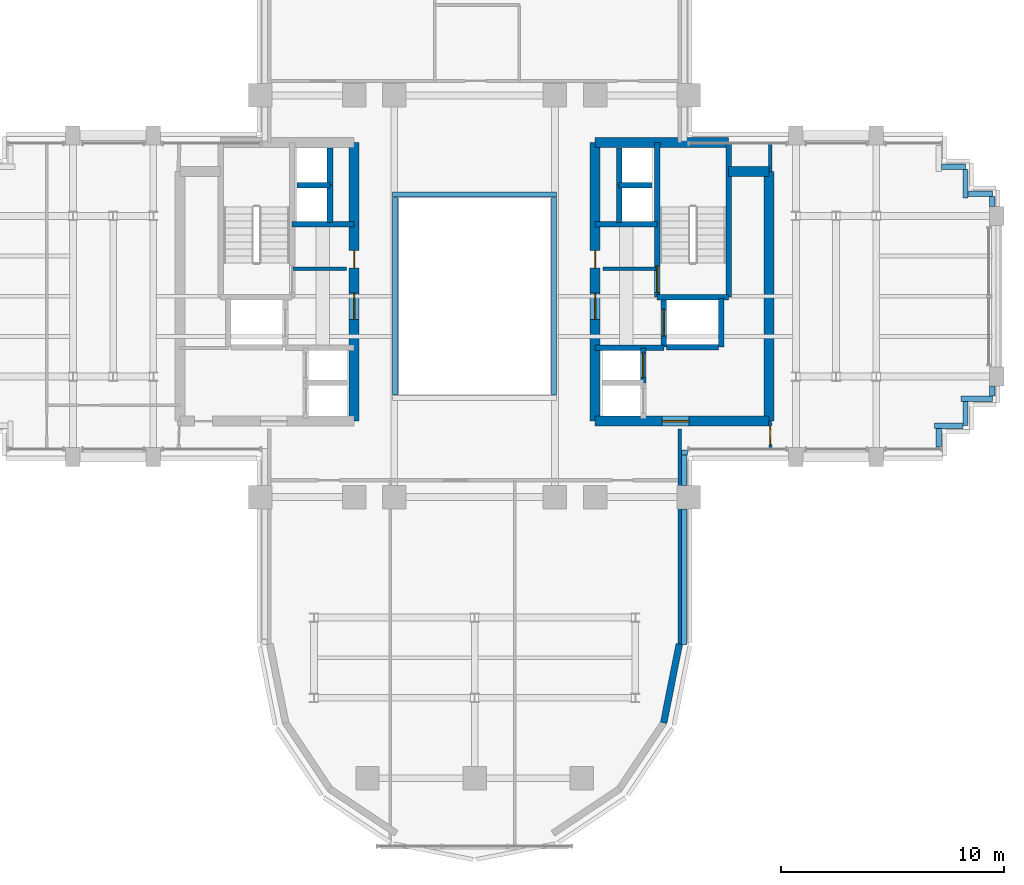
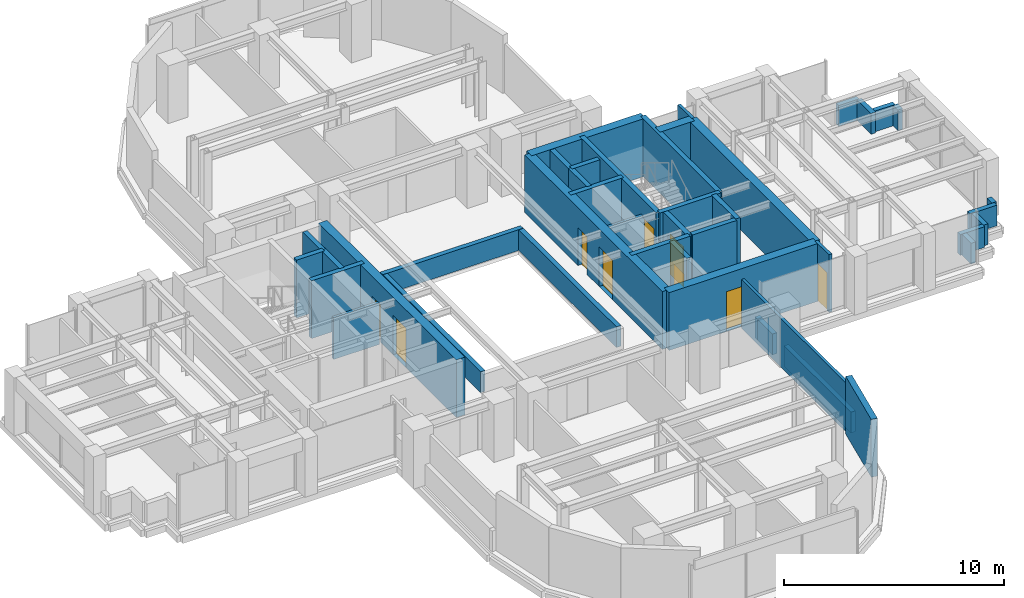
# One storey, part 9 of 13: 43 walls, 9 doors, 9 openings.
"""IFC4 building model written with IfcOpenShell, lengths in metres."""

from ifc_helpers import new_model, si_unit, direction, frame, frame_2d, origin, place, context, subcontext, project, spatial, rectangle, extrude, source, transform, mapped, material, layer, layer_set, type_object, element, fill, save


model = new_model("IFC4")

# Units and contexts
model_context = context("Model", 3, precision=1e-05, world=origin(), true_north=direction((0.0, 1.0)))
body_context = subcontext(model_context, "Body", "Model", "MODEL_VIEW")
ifc_project = project(units=[si_unit("LENGTHUNIT", "METRE"), si_unit("AREAUNIT", "SQUARE_METRE"), si_unit("VOLUMEUNIT", "CUBIC_METRE"), si_unit("PLANEANGLEUNIT", "RADIAN"), si_unit("MASSUNIT", "GRAM", prefix="KILO")], contexts=[model_context])

# Site, building, storey
site_placement = place(None, origin())
site = spatial("IfcSite", under=ifc_project, at=site_placement, CompositionType="ELEMENT")
building_placement = place(site_placement, origin())
building = spatial("IfcBuilding", under=site, at=building_placement, Name="Keilestroom Media Tower", CompositionType="ELEMENT")
storey_placement = place(building_placement, frame((0.0, 0.0, 144.800048828125)))
storey = spatial("IfcBuildingStorey", under=building, at=storey_placement, Name="L39", CompositionType="ELEMENT", Elevation=144.800048828125)

# Walls
ifc_material_1 = material(Name="Precast concrete C40/50", Category="concrete")
ifc_layer_1 = layer(ifc_material_1, 0.300048828125)
ifc_layer_set_1 = layer_set([ifc_layer_1], Name="Precast concrete C40/50")
wall_type_1 = type_object("IfcWallType", Name="Exterior-Masonry-Spandrel-Wall-300", PredefinedType="SOLIDWALL", material=ifc_layer_set_1)
wall_1_placement = place(storey_placement, frame((8.470703125, -19.12451171875, 0.0), z_axis=(0.0, 0.0, 1.0), x_axis=(0.195114232679, 0.980780523974, 0.0)))
element("IfcWall", 1, at=wall_1_placement, inside=storey, type_object=wall_type_1, Name="L39 Lobe Facet Precast Frame Wall 12", PredefinedType="SOLIDWALL", context=body_context, shape_type="SweptSolid", body=[
    extrude(rectangle(XDim=3.608642578125, YDim=0.300048828125, at=frame_2d((1.80419921875, 0.0))), origin(), (0.0, 0.0, 1.0), 3.199951171875),
])
ifc_material_2 = material(Name="Gypsum Plasterboard & Steel Stud", Category="steel")
ifc_layer_2 = layer(ifc_material_2, 0.14990234375)
ifc_layer_set_2 = layer_set([ifc_layer_2], Name="Gypsum Plasterboard & Steel Stud")
wall_type_2 = type_object("IfcWallType", Name="Interior-Partition-Wall-150", PredefinedType="PARTITIONING", material=ifc_layer_set_2)
for number, where, z_axis, x_axis, name in (
    (2, (-8.139892578125, 1.239990234375, 0.0), (0.0, 0.0, 1.0), (1.0, 0.0, 0.0), "L39 Interior Wall WP-L39-FFW-TOP"),
    (3, (5.75, 1.239990234375, 0.0), (0.0, 0.0, 1.0), (1.0, 0.0, 0.0), "L39 Interior Wall WP-L39-FFE-TOP"),
):
    element("IfcWall", number, at=place(storey_placement, frame(where, z_axis=z_axis, x_axis=x_axis)), inside=storey, type_object=wall_type_2, Name=name, PredefinedType="PARTITIONING", context=body_context, shape_type="SweptSolid", body=[
        extrude(rectangle(XDim=2.389892578125, YDim=0.14990234375, at=frame_2d((1.19482421875, 0.0))), origin(), (0.0, 0.0, 1.0), 2.300048828125),
    ])
wall_2_placement = place(storey_placement, frame((9.199951171875, -15.679931640625, 0.0), z_axis=(0.0, 0.0, 1.0), x_axis=(0.0, 1.0, 0.0)))
element("IfcWall", 4, at=wall_2_placement, inside=storey, type_object=wall_type_2, Name="L39 Interior Wall WP-L39-SL-CHKE", PredefinedType="PARTITIONING", context=body_context, shape_type="SweptSolid", body=[
    extrude(rectangle(XDim=9.739990234375, YDim=0.14990234375, at=frame_2d((4.8701171875, 0.0))), origin(), (0.0, 0.0, 1.0), 2.699951171875),
])
wall_3_placement = place(storey_placement, frame((13.260009765625, 5.60009765625, 0.0), z_axis=(0.0, 0.0, 1.0), x_axis=(-0.016013571389, 0.999871774545, 0.0)))
element("IfcWall", 5, at=wall_3_placement, inside=storey, type_object=wall_type_2, Name="L39 Interior Wall WP-L39-EA-ENTN", PredefinedType="PARTITIONING", context=body_context, shape_type="SweptSolid", body=[
    extrude(rectangle(XDim=1.250244140625, YDim=0.14990234375, at=frame_2d((0.625, 0.0))), origin(), (0.0, 0.0, 1.0), 3.199951171875),
])

# Wall, opening, door
wall_4_placement = place(storey_placement, frame((13.260009765625, -6.85009765625, 0.0), z_axis=(0.0, 0.0, 1.0), x_axis=(-0.016013571389, 0.999871774545, 0.0)))
wall_4 = element("IfcWall", 6, at=wall_4_placement, inside=storey, type_object=wall_type_2, Name="L39 Interior Wall WP-L39-EA-ENTS", PredefinedType="PARTITIONING", context=body_context, shape_type="SweptSolid", body=[
    extrude(rectangle(XDim=1.250244140625, YDim=0.14990234375, at=frame_2d((0.625, 0.0))), origin(), (0.0, 0.0, 1.0), 3.199951171875),
])
opening_1_placement = place(wall_4_placement, frame((0.199951171875, 0.0, 0.0)))
opening_1 = element("IfcOpeningElement", 7, at=opening_1_placement, cuts=wall_4, Name="Opening DI-05", PredefinedType="OPENING", context=body_context, shape_type="SweptSolid", body=[
    extrude(rectangle(XDim=0.85009765625, YDim=2.10009765625, at=frame_2d((0.425048828125, 1.050048828125))), frame((0.0, 0.0849609375, 0.0), z_axis=(0.0, -1.0, 0.0), x_axis=(1.0, 0.0, 0.0)), (0.0, 0.0, 1.0), 0.169921875),
])
ifc_material_3 = material(Name="Moisture-Resistant Oak Leaf", Category="wood")
door_type_1 = type_object("IfcDoorType", Name="Interior-En-Suite-And-Cupboard-Door-DI-05", OperationType="NOTDEFINED", PredefinedType="DOOR", material=ifc_material_3)
shared_shape_1 = source(origin(), body_context, "Body", "SweptSolid", [
    extrude(rectangle(XDim=0.85009765625, YDim=2.10009765625, at=frame_2d((0.425048828125, 1.050048828125))), frame((0.0, 0.02490234375, 0.0), z_axis=(0.0, -1.0, 0.0), x_axis=(1.0, 0.0, 0.0)), (0.0, 0.0, 1.0), 0.050048828125),
])
door_1_placement = place(opening_1_placement, origin())
door_1 = element("IfcDoor", 8, at=door_1_placement, inside=storey, type_object=door_type_1, Name="L39 Interior Door DI-L39-DEA-S", OperationType="SINGLE_SWING_LEFT", OverallHeight=2.10009765625, OverallWidth=0.85009765625, PredefinedType="DOOR", context=body_context, shape_type="MappedRepresentation", body=[
    mapped(shared_shape_1, transform((0.0, 0.0, 0.0), x_axis=(1.0, 0.0, 0.0), y_axis=(0.0, 1.0, 0.0), z_axis=(0.0, 0.0, 1.0), scale=1.0)),
])
fill(opening_1, door_1)

# Wall, openings, doors
ifc_material_4 = material(Name="Concrete C55/67", Category="concrete")
ifc_layer_3 = layer(ifc_material_4, 0.449951171875)
ifc_layer_set_3 = layer_set([ifc_layer_3], Name="Concrete C55/67")
wall_type_3 = type_object("IfcWallType", Name="Reinforced-Concrete-Core-Shear-Wall-450", PredefinedType="SHEAR", material=ifc_layer_set_3)
wall_5_placement = place(storey_placement, frame((-5.39990234375, -5.60009765625, 0.0), z_axis=(0.0, 0.0, 1.0), x_axis=(0.0, 1.0, 0.0)))
wall_5 = element("IfcWall", 9, at=wall_5_placement, inside=storey, type_object=wall_type_3, Name="L39 Core Shear Wall WL-L39-CORE-W-IN", PredefinedType="SHEAR", context=body_context, shape_type="SweptSolid", body=[
    extrude(rectangle(XDim=12.5, YDim=0.449951171875, at=frame_2d((6.25, 0.0))), origin(), (0.0, 0.0, 1.0), 3.199951171875),
])
opening_2_placement = place(wall_5_placement, frame((4.550048828125, 0.0, 0.0)))
opening_2 = element("IfcOpeningElement", 10, at=opening_2_placement, cuts=wall_5, Name="Opening DI-02", PredefinedType="OPENING", context=body_context, shape_type="SweptSolid", body=[
    extrude(rectangle(XDim=1.199951171875, YDim=2.199951171875, at=frame_2d((0.60009765625, 1.10009765625))), frame((0.0, 0.23486328125, 0.0), z_axis=(0.0, -1.0, 0.0), x_axis=(1.0, 0.0, 0.0)), (0.0, 0.0, 1.0), 0.469970703125),
])
opening_3_placement = place(wall_5_placement, frame((6.860107421875, 0.0, 0.0)))
opening_3 = element("IfcOpeningElement", 11, at=opening_3_placement, cuts=wall_5, Name="Opening DI-06", PredefinedType="OPENING", context=body_context, shape_type="SweptSolid", body=[
    extrude(rectangle(XDim=0.800048828125, YDim=2.10009765625, at=frame_2d((0.39990234375, 1.050048828125))), frame((0.0, 0.23486328125, 0.0), z_axis=(0.0, -1.0, 0.0), x_axis=(1.0, 0.0, 0.0)), (0.0, 0.0, 1.0), 0.469970703125),
])
ifc_material_5 = material(Name="Powder-Coated Steel Fire Leaf", Category="steel")
door_type_2 = type_object("IfcDoorType", Name="Interior-Compartment-Fire-Door-DI-02", OperationType="NOTDEFINED", PredefinedType="DOOR", material=ifc_material_5)
shared_shape_2 = source(origin(), body_context, "Body", "SweptSolid", [
    extrude(rectangle(XDim=1.199951171875, YDim=2.199951171875, at=frame_2d((0.60009765625, 1.10009765625))), frame((0.0, 0.02490234375, 0.0), z_axis=(0.0, -1.0, 0.0), x_axis=(1.0, 0.0, 0.0)), (0.0, 0.0, 1.0), 0.050048828125),
])
door_2_placement = place(opening_2_placement, origin())
door_2 = element("IfcDoor", 12, at=door_2_placement, inside=storey, type_object=door_type_2, Name="L39 W Firefighting Lobby Door", OperationType="SINGLE_SWING_RIGHT", OverallHeight=2.199951171875, OverallWidth=1.199951171875, PredefinedType="DOOR", context=body_context, shape_type="MappedRepresentation", body=[
    mapped(shared_shape_2, transform((0.0, 0.0, 0.0), x_axis=(1.0, 0.0, 0.0), y_axis=(0.0, 1.0, 0.0), z_axis=(0.0, 0.0, 1.0), scale=1.0)),
])
fill(opening_2, door_2)
ifc_material_6 = material(Name="Powder-Coated Steel Service Leaf", Category="steel")
door_type_3 = type_object("IfcDoorType", Name="Interior-Riser-Access-Door-DI-06", OperationType="NOTDEFINED", PredefinedType="DOOR", material=ifc_material_6)
shared_shape_3 = source(origin(), body_context, "Body", "SweptSolid", [
    extrude(rectangle(XDim=0.800048828125, YDim=2.10009765625, at=frame_2d((0.39990234375, 1.050048828125))), frame((0.0, 0.02490234375, 0.0), z_axis=(0.0, -1.0, 0.0), x_axis=(1.0, 0.0, 0.0)), (0.0, 0.0, 1.0), 0.050048828125),
])
door_3_placement = place(opening_3_placement, origin())
door_3 = element("IfcDoor", 13, at=door_3_placement, inside=storey, type_object=door_type_3, Name="L39 West Core Switchroom Door", OperationType="SINGLE_SWING_LEFT", OverallHeight=2.10009765625, OverallWidth=0.800048828125, PredefinedType="DOOR", context=body_context, shape_type="MappedRepresentation", body=[
    mapped(shared_shape_3, transform((0.0, 0.0, 0.0), x_axis=(1.0, 0.0, 0.0), y_axis=(0.0, 1.0, 0.0), z_axis=(0.0, 0.0, 1.0), scale=1.0)),
])
fill(opening_3, door_3)

# Wall
wall_6_placement = place(storey_placement, frame((13.199951171875, -5.60009765625, 0.0), z_axis=(0.0, 0.0, 1.0), x_axis=(0.0, 1.0, 0.0)))
element("IfcWall", 14, at=wall_6_placement, inside=storey, type_object=wall_type_3, Name="L39 Core Shear Wall WL-L39-CORE-E-OUT", PredefinedType="SHEAR", context=body_context, shape_type="SweptSolid", body=[
    extrude(rectangle(XDim=11.2001953125, YDim=0.449951171875, at=frame_2d((5.60009765625, 0.0))), origin(), (0.0, 0.0, 1.0), 3.199951171875),
])

# Wall, openings, doors
wall_7_placement = place(storey_placement, frame((5.39990234375, -5.60009765625, 0.0), z_axis=(0.0, 0.0, 1.0), x_axis=(0.0, 1.0, 0.0)))
wall_7 = element("IfcWall", 15, at=wall_7_placement, inside=storey, type_object=wall_type_3, Name="L39 Core Shear Wall WL-L39-CORE-E-IN", PredefinedType="SHEAR", context=body_context, shape_type="SweptSolid", body=[
    extrude(rectangle(XDim=12.5, YDim=0.449951171875, at=frame_2d((6.25, 0.0))), origin(), (0.0, 0.0, 1.0), 3.199951171875),
])
opening_4_placement = place(wall_7_placement, frame((4.550048828125, 0.0, 0.0)))
opening_4 = element("IfcOpeningElement", 16, at=opening_4_placement, cuts=wall_7, Name="Opening DI-02", PredefinedType="OPENING", context=body_context, shape_type="SweptSolid", body=[
    extrude(rectangle(XDim=1.199951171875, YDim=2.199951171875, at=frame_2d((0.60009765625, 1.10009765625))), frame((0.0, 0.23486328125, 0.0), z_axis=(0.0, -1.0, 0.0), x_axis=(1.0, 0.0, 0.0)), (0.0, 0.0, 1.0), 0.469970703125),
])
opening_5_placement = place(wall_7_placement, frame((6.860107421875, 0.0, 0.0)))
opening_5 = element("IfcOpeningElement", 17, at=opening_5_placement, cuts=wall_7, Name="Opening DI-06", PredefinedType="OPENING", context=body_context, shape_type="SweptSolid", body=[
    extrude(rectangle(XDim=0.800048828125, YDim=2.10009765625, at=frame_2d((0.39990234375, 1.050048828125))), frame((0.0, 0.23486328125, 0.0), z_axis=(0.0, -1.0, 0.0), x_axis=(1.0, 0.0, 0.0)), (0.0, 0.0, 1.0), 0.469970703125),
])
door_4_placement = place(opening_4_placement, origin())
door_4 = element("IfcDoor", 18, at=door_4_placement, inside=storey, type_object=door_type_2, Name="L39 E Firefighting Lobby Door", OperationType="SINGLE_SWING_LEFT", OverallHeight=2.199951171875, OverallWidth=1.199951171875, PredefinedType="DOOR", context=body_context, shape_type="MappedRepresentation", body=[
    mapped(shared_shape_2, transform((0.0, 0.0, 0.0), x_axis=(1.0, 0.0, 0.0), y_axis=(0.0, 1.0, 0.0), z_axis=(0.0, 0.0, 1.0), scale=1.0)),
])
fill(opening_4, door_4)
door_5_placement = place(opening_5_placement, origin())
door_5 = element("IfcDoor", 19, at=door_5_placement, inside=storey, type_object=door_type_3, Name="L39 East Core Telecom Door", OperationType="SINGLE_SWING_RIGHT", OverallHeight=2.10009765625, OverallWidth=0.800048828125, PredefinedType="DOOR", context=body_context, shape_type="MappedRepresentation", body=[
    mapped(shared_shape_3, transform((0.0, 0.0, 0.0), x_axis=(1.0, 0.0, 0.0), y_axis=(0.0, 1.0, 0.0), z_axis=(0.0, 0.0, 1.0), scale=1.0)),
])
fill(opening_5, door_5)

# Walls
wall_8_placement = place(storey_placement, frame((5.39990234375, 6.89990234375, 0.0), z_axis=(0.0, 0.0, 1.0), x_axis=(1.0, 0.0, 0.0)))
element("IfcWall", 20, at=wall_8_placement, inside=storey, type_object=wall_type_3, Name="L39 Core Shear Wall WL-L39-CORE-E-N", PredefinedType="SHEAR", context=body_context, shape_type="SweptSolid", body=[
    extrude(rectangle(XDim=5.981201171875, YDim=0.449951171875, at=frame_2d((2.99072265625, 0.0))), origin(), (0.0, 0.0, 1.0), 3.199951171875),
])
wall_9_placement = place(storey_placement, frame((11.381103515625, 5.60009765625, 0.0), z_axis=(0.0, 0.0, 1.0), x_axis=(1.0, 0.0, 0.0)))
element("IfcWall", 21, at=wall_9_placement, inside=storey, type_object=wall_type_3, Name="L39 Core Shear Wall WL-L39-CNE-N", PredefinedType="SHEAR", context=body_context, shape_type="SweptSolid", body=[
    extrude(rectangle(XDim=1.81884765625, YDim=0.449951171875, at=frame_2d((0.909423828125, 0.0))), origin(), (0.0, 0.0, 1.0), 3.199951171875),
])

# Wall, opening, door
wall_10_placement = place(storey_placement, frame((5.39990234375, -5.60009765625, 0.0), z_axis=(0.0, 0.0, 1.0), x_axis=(1.0, 0.0, 0.0)))
wall_10 = element("IfcWall", 22, at=wall_10_placement, inside=storey, type_object=wall_type_3, Name="L39 Core Shear Wall WL-L39-CORE-E-S", PredefinedType="SHEAR", context=body_context, shape_type="SweptSolid", body=[
    extrude(rectangle(XDim=7.800048828125, YDim=0.449951171875, at=frame_2d((3.89990234375, 0.0))), origin(), (0.0, 0.0, 1.0), 3.199951171875),
])
opening_6_placement = place(wall_10_placement, frame((3.0, 0.0, 0.0)))
opening_6 = element("IfcOpeningElement", 23, at=opening_6_placement, cuts=wall_10, Name="Opening DI-02", PredefinedType="OPENING", context=body_context, shape_type="SweptSolid", body=[
    extrude(rectangle(XDim=1.199951171875, YDim=2.199951171875, at=frame_2d((0.60009765625, 1.10009765625))), frame((0.0, 0.23486328125, 0.0), z_axis=(0.0, -1.0, 0.0), x_axis=(1.0, 0.0, 0.0)), (0.0, 0.0, 1.0), 0.469970703125),
])
door_6_placement = place(opening_6_placement, origin())
door_6 = element("IfcDoor", 24, at=door_6_placement, inside=storey, type_object=door_type_2, Name="L39 E Passenger Lift Lobby Door", OperationType="SINGLE_SWING_RIGHT", OverallHeight=2.199951171875, OverallWidth=1.199951171875, PredefinedType="DOOR", context=body_context, shape_type="MappedRepresentation", body=[
    mapped(shared_shape_2, transform((0.0, 0.0, 0.0), x_axis=(1.0, 0.0, 0.0), y_axis=(0.0, 1.0, 0.0), z_axis=(0.0, 0.0, 1.0), scale=1.0)),
])
fill(opening_6, door_6)

# Walls
ifc_material_7 = material(Name="Concrete C50/60", Category="concrete")
ifc_layer_4 = layer(ifc_material_7, 0.25)
ifc_layer_set_4 = layer_set([ifc_layer_4], Name="Concrete C50/60")
wall_type_4 = type_object("IfcWallType", Name="Reinforced-Concrete-Shaft-Wall-250", PredefinedType="SOLIDWALL", material=ifc_layer_set_4)
for number, where, z_axis, x_axis, name in (
    (25, (-8.179931640625, 3.219970703125, 0.0), (0.0, 0.0, 1.0), (1.0, 0.0, 0.0), "L39 Core Shear Wall WL-L39-CORE-W-FFN"),
    (26, (5.39990234375, 3.219970703125, 0.0), (0.0, 0.0, 1.0), (1.0, 0.0, 0.0), "L39 Core Shear Wall WL-L39-CORE-E-FFN"),
):
    element("IfcWall", number, at=place(storey_placement, frame(where, z_axis=z_axis, x_axis=x_axis)), inside=storey, type_object=wall_type_4, Name=name, PredefinedType="SOLIDWALL", context=body_context, shape_type="SweptSolid", body=[
        extrude(rectangle(XDim=2.780029296875, YDim=0.25, at=frame_2d((1.39013671875, 0.0))), origin(), (0.0, 0.0, 1.0), 3.199951171875),
    ])
wall_11_placement = place(storey_placement, frame((5.39990234375, -2.300048828125, 0.0), z_axis=(0.0, 0.0, 1.0), x_axis=(1.0, 0.0, 0.0)))
element("IfcWall", 27, at=wall_11_placement, inside=storey, type_object=wall_type_4, Name="L39 Core Shear Wall WL-L39-CORE-E-FFS", PredefinedType="SOLIDWALL", context=body_context, shape_type="SweptSolid", body=[
    extrude(rectangle(XDim=3.080078125, YDim=0.25, at=frame_2d((1.5400390625, 0.0))), origin(), (0.0, 0.0, 1.0), 3.199951171875),
])

# Wall, opening, door
wall_12_placement = place(storey_placement, frame((8.178955078125, -0.041015625, 0.0), z_axis=(0.0, 0.0, 1.0), x_axis=(0.0, 1.0, 0.0)))
wall_12 = element("IfcWall", 28, at=wall_12_placement, inside=storey, type_object=wall_type_4, Name="L39 Core Shear Wall WL-L39-STW-E-NEAR", PredefinedType="SOLIDWALL", context=body_context, shape_type="SweptSolid", body=[
    extrude(rectangle(XDim=6.94091796875, YDim=0.25, at=frame_2d((3.470458984375, 0.0))), origin(), (0.0, 0.0, 1.0), 3.199951171875),
])
opening_7_placement = place(wall_12_placement, frame((0.199951171875, 0.0, 0.0)))
opening_7 = element("IfcOpeningElement", 29, at=opening_7_placement, cuts=wall_12, Name="Opening DI-01S", PredefinedType="OPENING", context=body_context, shape_type="SweptSolid", body=[
    extrude(rectangle(XDim=1.199951171875, YDim=2.199951171875, at=frame_2d((0.60009765625, 1.10009765625))), frame((0.0, 0.135009765625, 0.0), z_axis=(0.0, -1.0, 0.0), x_axis=(1.0, 0.0, 0.0)), (0.0, 0.0, 1.0), 0.27001953125),
])
door_type_4 = type_object("IfcDoorType", Name="Interior-Stair-And-Core-Fire-Door-DI-01", OperationType="NOTDEFINED", PredefinedType="DOOR", material=ifc_material_5)
door_7_placement = place(opening_7_placement, origin())
door_7 = element("IfcDoor", 30, at=door_7_placement, inside=storey, type_object=door_type_4, Name="L39 Escape Stair ST-2 Fire Door", OperationType="SINGLE_SWING_RIGHT", OverallHeight=2.199951171875, OverallWidth=1.199951171875, PredefinedType="DOOR", context=body_context, shape_type="MappedRepresentation", body=[
    mapped(shared_shape_2, transform((0.0, 0.0, 0.0), x_axis=(1.0, 0.0, 0.0), y_axis=(0.0, 1.0, 0.0), z_axis=(0.0, 0.0, 1.0), scale=1.0)),
])
fill(opening_7, door_7)

# Walls
wall_13_placement = place(storey_placement, frame((11.381103515625, -0.041015625, 0.0), z_axis=(0.0, 0.0, 1.0), x_axis=(0.0, 1.0, 0.0)))
element("IfcWall", 31, at=wall_13_placement, inside=storey, type_object=wall_type_4, Name="L39 Core Shear Wall WL-L39-STW-E-FAR", PredefinedType="SOLIDWALL", context=body_context, shape_type="SweptSolid", body=[
    extrude(rectangle(XDim=6.94091796875, YDim=0.25, at=frame_2d((3.470458984375, 0.0))), origin(), (0.0, 0.0, 1.0), 3.199951171875),
])
wall_14_placement = place(storey_placement, frame((8.178955078125, -0.041015625, 0.0), z_axis=(0.0, 0.0, 1.0), x_axis=(1.0, 0.0, 0.0)))
element("IfcWall", 32, at=wall_14_placement, inside=storey, type_object=wall_type_4, Name="L39 Core Shear Wall WL-L39-STW-E-S", PredefinedType="SOLIDWALL", context=body_context, shape_type="SweptSolid", body=[
    extrude(rectangle(XDim=3.2021484375, YDim=0.25, at=frame_2d((1.60107421875, 0.0))), origin(), (0.0, 0.0, 1.0), 3.199951171875),
])

# Wall, opening, door
wall_15_placement = place(storey_placement, frame((8.47998046875, -2.280029296875, 0.0), z_axis=(0.0, 0.0, 1.0), x_axis=(0.0, 1.0, 0.0)))
wall_15 = element("IfcWall", 33, at=wall_15_placement, inside=storey, type_object=wall_type_4, Name="L39 Core Shear Wall WL-L39-LSH-FFL-2-W", PredefinedType="SOLIDWALL", context=body_context, shape_type="SweptSolid", body=[
    extrude(rectangle(XDim=2.179931640625, YDim=0.25, at=frame_2d((1.08984375, 0.0))), origin(), (0.0, 0.0, 1.0), 3.199951171875),
])
opening_8_placement = place(wall_15_placement, frame((0.489990234375, 0.0, 0.0)))
opening_8 = element("IfcOpeningElement", 34, at=opening_8_placement, cuts=wall_15, Name="Opening LD-02", PredefinedType="OPENING", context=body_context, shape_type="SweptSolid", body=[
    extrude(rectangle(XDim=1.199951171875, YDim=2.199951171875, at=frame_2d((0.60009765625, 1.10009765625))), frame((0.0, 0.135009765625, 0.0), z_axis=(0.0, -1.0, 0.0), x_axis=(1.0, 0.0, 0.0)), (0.0, 0.0, 1.0), 0.27001953125),
])
ifc_material_8 = material(Name="Brushed Stainless Steel Sliding Leaf", Category="steel")
door_type_5 = type_object("IfcDoorType", Name="Lift-Landing-Sliding-Door-LD-02", OperationType="SLIDING_TO_RIGHT", PredefinedType="DOOR", material=ifc_material_8)
door_8_placement = place(opening_8_placement, origin())
door_8 = element("IfcDoor", 35, at=door_8_placement, inside=storey, type_object=door_type_5, Name="L39 Lift FFL-2 Landing Sliding Door", OperationType="SLIDING_TO_RIGHT", OverallHeight=2.199951171875, OverallWidth=1.199951171875, PredefinedType="DOOR", context=body_context, shape_type="MappedRepresentation", body=[
    mapped(shared_shape_2, transform((0.0, 0.0, 0.0), x_axis=(1.0, 0.0, 0.0), y_axis=(0.0, 1.0, 0.0), z_axis=(0.0, 0.0, 1.0), scale=1.0)),
])
fill(opening_8, door_8)

# Walls
wall_16_placement = place(storey_placement, frame((11.050048828125, -2.280029296875, 0.0), z_axis=(0.0, 0.0, 1.0), x_axis=(0.0, 1.0, 0.0)))
element("IfcWall", 36, at=wall_16_placement, inside=storey, type_object=wall_type_4, Name="L39 Core Shear Wall WL-L39-LSH-FFL-2-E", PredefinedType="SOLIDWALL", context=body_context, shape_type="SweptSolid", body=[
    extrude(rectangle(XDim=2.179931640625, YDim=0.25, at=frame_2d((1.08984375, 0.0))), origin(), (0.0, 0.0, 1.0), 3.199951171875),
])
wall_17_placement = place(storey_placement, frame((8.60888671875, -2.280029296875, 0.0), z_axis=(0.0, 0.0, 1.0), x_axis=(1.0, 0.0, 0.0)))
element("IfcWall", 37, at=wall_17_placement, inside=storey, type_object=wall_type_4, Name="L39 Core Shear Wall WL-L39-LSH-FFL-2-S", PredefinedType="SOLIDWALL", context=body_context, shape_type="SweptSolid", body=[
    extrude(rectangle(XDim=2.31201171875, YDim=0.25, at=frame_2d((1.156005859375, 0.0))), origin(), (0.0, 0.0, 1.0), 3.199951171875),
])

# Wall, opening, door
wall_18_placement = place(storey_placement, frame((7.56005859375, -3.8798828125, 0.0), z_axis=(0.0, 0.0, 1.0), x_axis=(0.0, 1.0, 0.0)))
wall_18 = element("IfcWall", 38, at=wall_18_placement, inside=storey, type_object=wall_type_4, Name="L39 Core Shear Wall WL-L39-LSH-PL-M4-E", PredefinedType="SOLIDWALL", context=body_context, shape_type="SweptSolid", body=[
    extrude(rectangle(XDim=1.559814453125, YDim=0.25, at=frame_2d((0.77978515625, 0.0))), origin(), (0.0, 0.0, 1.0), 3.199951171875),
])
opening_9_placement = place(wall_18_placement, frame((0.22998046875, 0.0, 0.0)))
opening_9 = element("IfcOpeningElement", 39, at=opening_9_placement, cuts=wall_18, Name="Opening LD-01", PredefinedType="OPENING", context=body_context, shape_type="SweptSolid", body=[
    extrude(rectangle(XDim=1.10009765625, YDim=2.199951171875, at=frame_2d((0.550048828125, 1.10009765625))), frame((0.0, 0.135009765625, 0.0), z_axis=(0.0, -1.0, 0.0), x_axis=(1.0, 0.0, 0.0)), (0.0, 0.0, 1.0), 0.27001953125),
])
door_type_6 = type_object("IfcDoorType", Name="Lift-Landing-Sliding-Door-LD-01", OperationType="SLIDING_TO_LEFT", PredefinedType="DOOR", material=ifc_material_8)
shared_shape_4 = source(origin(), body_context, "Body", "SweptSolid", [
    extrude(rectangle(XDim=1.10009765625, YDim=2.199951171875, at=frame_2d((0.550048828125, 1.10009765625))), frame((0.0, 0.02490234375, 0.0), z_axis=(0.0, -1.0, 0.0), x_axis=(1.0, 0.0, 0.0)), (0.0, 0.0, 1.0), 0.050048828125),
])
door_9_placement = place(opening_9_placement, origin())
door_9 = element("IfcDoor", 40, at=door_9_placement, inside=storey, type_object=door_type_6, Name="L39 Lift PL-M4 Landing Sliding Door", OperationType="SLIDING_TO_LEFT", OverallHeight=2.199951171875, OverallWidth=1.10009765625, PredefinedType="DOOR", context=body_context, shape_type="MappedRepresentation", body=[
    mapped(shared_shape_4, transform((0.0, 0.0, 0.0), x_axis=(1.0, 0.0, 0.0), y_axis=(0.0, 1.0, 0.0), z_axis=(0.0, 0.0, 1.0), scale=1.0)),
])
fill(opening_9, door_9)

# Walls
wall_19_placement = place(storey_placement, frame((-6.47998046875, 3.300048828125, 0.0), z_axis=(0.0, 0.0, 1.0), x_axis=(0.0, 1.0, 0.0)))
element("IfcWall", 41, at=wall_19_placement, inside=storey, type_object=wall_type_4, Name="L39 Core Shear Wall WL-L39-LSH-PL-H1-E", PredefinedType="SOLIDWALL", context=body_context, shape_type="SweptSolid", body=[
    extrude(rectangle(XDim=1.679931640625, YDim=0.25, at=frame_2d((0.83984375, 0.0))), origin(), (0.0, 0.0, 1.0), 3.199951171875),
])
wall_20_placement = place(storey_placement, frame((-7.949951171875, 4.97998046875, 0.0), z_axis=(0.0, 0.0, 1.0), x_axis=(1.0, 0.0, 0.0)))
element("IfcWall", 42, at=wall_20_placement, inside=storey, type_object=wall_type_4, Name="L39 Core Shear Wall WL-L39-LSH-PL-H1-N", PredefinedType="SOLIDWALL", context=body_context, shape_type="SweptSolid", body=[
    extrude(rectangle(XDim=1.469970703125, YDim=0.25, at=frame_2d((0.73486328125, 0.0))), origin(), (0.0, 0.0, 1.0), 3.199951171875),
])
wall_21_placement = place(storey_placement, frame((-6.47998046875, 4.97998046875, 0.0), z_axis=(0.0, 0.0, 1.0), x_axis=(0.0, 1.0, 0.0)))
element("IfcWall", 43, at=wall_21_placement, inside=storey, type_object=wall_type_4, Name="L39 Core Shear Wall WL-L39-LSH-PL-H2-E", PredefinedType="SOLIDWALL", context=body_context, shape_type="SweptSolid", body=[
    extrude(rectangle(XDim=1.669921875, YDim=0.25, at=frame_2d((0.8349609375, 0.0))), origin(), (0.0, 0.0, 1.0), 3.199951171875),
])
wall_22_placement = place(storey_placement, frame((6.47998046875, 3.300048828125, 0.0), z_axis=(0.0, 0.0, 1.0), x_axis=(0.0, 1.0, 0.0)))
element("IfcWall", 44, at=wall_22_placement, inside=storey, type_object=wall_type_4, Name="L39 Core Shear Wall WL-L39-LSH-PL-H3-W", PredefinedType="SOLIDWALL", context=body_context, shape_type="SweptSolid", body=[
    extrude(rectangle(XDim=1.679931640625, YDim=0.25, at=frame_2d((0.83984375, 0.0))), origin(), (0.0, 0.0, 1.0), 3.199951171875),
])
wall_23_placement = place(storey_placement, frame((6.47998046875, 4.97998046875, 0.0), z_axis=(0.0, 0.0, 1.0), x_axis=(1.0, 0.0, 0.0)))
element("IfcWall", 45, at=wall_23_placement, inside=storey, type_object=wall_type_4, Name="L39 Core Shear Wall WL-L39-LSH-PL-H3-N", PredefinedType="SOLIDWALL", context=body_context, shape_type="SweptSolid", body=[
    extrude(rectangle(XDim=1.469970703125, YDim=0.25, at=frame_2d((0.73486328125, 0.0))), origin(), (0.0, 0.0, 1.0), 3.199951171875),
])
wall_24_placement = place(storey_placement, frame((6.47998046875, 4.97998046875, 0.0), z_axis=(0.0, 0.0, 1.0), x_axis=(0.0, 1.0, 0.0)))
element("IfcWall", 46, at=wall_24_placement, inside=storey, type_object=wall_type_4, Name="L39 Core Shear Wall WL-L39-LSH-PL-H4-W", PredefinedType="SOLIDWALL", context=body_context, shape_type="SweptSolid", body=[
    extrude(rectangle(XDim=1.669921875, YDim=0.25, at=frame_2d((0.8349609375, 0.0))), origin(), (0.0, 0.0, 1.0), 3.199951171875),
])
ifc_layer_5 = layer(ifc_material_1, 0.239990234375)
ifc_layer_set_5 = layer_set([ifc_layer_5], Name="Precast concrete C40/50")
wall_type_5 = type_object("IfcWallType", Name="Roof-And-Terrace-Parapet-Wall-240", PredefinedType="PARAPET", material=ifc_layer_set_5)
wall_25_placement = place(storey_placement, frame((23.199951171875, -4.60009765625, 0.0), z_axis=(0.0, 0.0, 1.0), x_axis=(-1.0, 0.0, 0.0)))
element("IfcWall", 47, at=wall_25_placement, inside=storey, type_object=wall_type_5, Name="L39 Perimeter Edge Parapet Wall 01", PredefinedType="PARAPET", context=body_context, shape_type="SweptSolid", body=[
    extrude(rectangle(XDim=1.39990234375, YDim=0.239990234375, at=frame_2d((0.699951171875, 0.0))), origin(), (0.0, 0.0, 1.0), 1.14990234375),
])
wall_26_placement = place(storey_placement, frame((22.0, -4.722900390625, 0.0), z_axis=(0.0, 0.0, 1.0), x_axis=(0.0, -1.0, 0.0)))
element("IfcWall", 48, at=wall_26_placement, inside=storey, type_object=wall_type_5, Name="L39 Perimeter Edge Parapet Wall 02", PredefinedType="PARAPET", context=body_context, shape_type="SweptSolid", body=[
    extrude(rectangle(XDim=1.0771484375, YDim=0.239990234375, at=frame_2d((0.53857421875, 0.0))), origin(), (0.0, 0.0, 1.0), 1.14990234375),
])
wall_27_placement = place(storey_placement, frame((21.876953125, -5.800048828125, 0.0), z_axis=(0.0, 0.0, 1.0), x_axis=(-1.0, 0.0, 0.0)))
element("IfcWall", 49, at=wall_27_placement, inside=storey, type_object=wall_type_5, Name="L39 Perimeter Edge Parapet Wall 03", PredefinedType="PARAPET", context=body_context, shape_type="SweptSolid", body=[
    extrude(rectangle(XDim=1.27685546875, YDim=0.239990234375, at=frame_2d((0.638427734375, 0.0))), origin(), (0.0, 0.0, 1.0), 1.14990234375),
])
wall_28_placement = place(storey_placement, frame((20.800048828125, -5.923095703125, 0.0), z_axis=(0.0, 0.0, 1.0), x_axis=(0.0, -1.0, 0.0)))
element("IfcWall", 50, at=wall_28_placement, inside=storey, type_object=wall_type_5, Name="L39 Perimeter Edge Parapet Wall 04", PredefinedType="PARAPET", context=body_context, shape_type="SweptSolid", body=[
    extrude(rectangle(XDim=0.833984375, YDim=0.239990234375, at=frame_2d((0.4169921875, 0.0))), origin(), (0.0, 0.0, 1.0), 1.14990234375),
])
wall_29_placement = place(storey_placement, frame((9.547119140625, -7.0, 0.0), z_axis=(0.0, 0.0, 1.0), x_axis=(-1.0, 0.0, 0.0)))
element("IfcWall", 51, at=wall_29_placement, inside=storey, type_object=wall_type_5, Name="L39 Perimeter Edge Parapet Wall 05", PredefinedType="PARAPET", context=body_context, shape_type="SweptSolid", body=[
    extrude(rectangle(XDim=0.26904296875, YDim=0.239990234375, at=frame_2d((0.134521484375, 0.0))), origin(), (0.0, 0.0, 1.0), 1.14990234375),
])
wall_30_placement = place(storey_placement, frame((9.39990234375, -7.123046875, 0.0), z_axis=(0.0, 0.0, 1.0), x_axis=(0.0, -1.0, 0.0)))
element("IfcWall", 52, at=wall_30_placement, inside=storey, type_object=wall_type_5, Name="L39 Perimeter Edge Parapet Wall 06", PredefinedType="PARAPET", context=body_context, shape_type="SweptSolid", body=[
    extrude(rectangle(XDim=1.348876953125, YDim=0.239990234375, at=frame_2d((0.67431640625, 0.0))), origin(), (0.0, 0.0, 1.0), 1.14990234375),
])
wall_31_placement = place(storey_placement, frame((9.39990234375, -9.528076171875, 0.0), z_axis=(0.0, 0.0, 1.0), x_axis=(0.0, -1.0, 0.0)))
element("IfcWall", 53, at=wall_31_placement, inside=storey, type_object=wall_type_5, Name="L39 Perimeter Edge Parapet Wall 07", PredefinedType="PARAPET", context=body_context, shape_type="SweptSolid", body=[
    extrude(rectangle(XDim=6.07470703125, YDim=0.239990234375, at=frame_2d((3.037353515625, 0.0))), origin(), (0.0, 0.0, 1.0), 1.14990234375),
])
wall_32_placement = place(storey_placement, frame((20.923095703125, 5.800048828125, 0.0), z_axis=(0.0, 0.0, 1.0), x_axis=(1.0, 0.0, 0.0)))
element("IfcWall", 54, at=wall_32_placement, inside=storey, type_object=wall_type_5, Name="L39 Perimeter Edge Parapet Wall 27", PredefinedType="PARAPET", context=body_context, shape_type="SweptSolid", body=[
    extrude(rectangle(XDim=1.076904296875, YDim=0.239990234375, at=frame_2d((0.53857421875, 0.0))), origin(), (0.0, 0.0, 1.0), 1.14990234375),
])
wall_33_placement = place(storey_placement, frame((22.0, 5.677001953125, 0.0), z_axis=(0.0, 0.0, 1.0), x_axis=(0.0, -1.0, 0.0)))
element("IfcWall", 55, at=wall_33_placement, inside=storey, type_object=wall_type_5, Name="L39 Perimeter Edge Parapet Wall 28", PredefinedType="PARAPET", context=body_context, shape_type="SweptSolid", body=[
    extrude(rectangle(XDim=1.277099609375, YDim=0.239990234375, at=frame_2d((0.638671875, 0.0))), origin(), (0.0, 0.0, 1.0), 1.14990234375),
])
wall_34_placement = place(storey_placement, frame((22.123046875, 4.60009765625, 0.0), z_axis=(0.0, 0.0, 1.0), x_axis=(1.0, 0.0, 0.0)))
element("IfcWall", 56, at=wall_34_placement, inside=storey, type_object=wall_type_5, Name="L39 Perimeter Edge Parapet Wall 29", PredefinedType="PARAPET", context=body_context, shape_type="SweptSolid", body=[
    extrude(rectangle(XDim=1.076904296875, YDim=0.239990234375, at=frame_2d((0.53857421875, 0.0))), origin(), (0.0, 0.0, 1.0), 1.14990234375),
])
for number, where, z_axis, x_axis, name in (
    (57, (23.199951171875, 4.47705078125, 0.0), (0.0, 0.0, 1.0), (0.0, -1.0, 0.0), "L39 Perimeter Edge Parapet Wall 30"),
    (58, (23.199951171875, -4.028076171875, 0.0), (0.0, 0.0, 1.0), (0.0, -1.0, 0.0), "L39 Perimeter Edge Parapet Wall 31"),
):
    element("IfcWall", number, at=place(storey_placement, frame(where, z_axis=z_axis, x_axis=x_axis)), inside=storey, type_object=wall_type_5, Name=name, PredefinedType="PARAPET", context=body_context, shape_type="SweptSolid", body=[
        extrude(rectangle(XDim=0.448974609375, YDim=0.239990234375, at=frame_2d((0.224609375, 0.0))), origin(), (0.0, 0.0, 1.0), 1.14990234375),
    ])
wall_35_placement = place(storey_placement, frame((-3.679931640625, 4.56005859375, 0.0), z_axis=(0.0, 0.0, 1.0), x_axis=(1.0, 0.0, 0.0)))
element("IfcWall", 59, at=wall_35_placement, inside=storey, type_object=wall_type_5, Name="L39 Central Atrium Guard Parapet N", PredefinedType="PARAPET", context=body_context, shape_type="SweptSolid", body=[
    extrude(rectangle(XDim=7.35986328125, YDim=0.239990234375, at=frame_2d((3.679931640625, 0.0))), origin(), (0.0, 0.0, 1.0), 1.14990234375),
])
for number, where, z_axis, x_axis, name in (
    (60, (-3.56005859375, -4.43505859375, 0.0), (0.0, 0.0, 1.0), (0.0, 1.0, 0.0), "L39 Central Atrium Guard Parapet W"),
    (61, (3.56005859375, -4.43505859375, 0.0), (0.0, 0.0, 1.0), (0.0, 1.0, 0.0), "L39 Central Atrium Guard Parapet E"),
):
    element("IfcWall", number, at=place(storey_placement, frame(where, z_axis=z_axis, x_axis=x_axis)), inside=storey, type_object=wall_type_5, Name=name, PredefinedType="PARAPET", context=body_context, shape_type="SweptSolid", body=[
        extrude(rectangle(XDim=8.8701171875, YDim=0.239990234375, at=frame_2d((4.43505859375, 0.0))), origin(), (0.0, 0.0, 1.0), 1.14990234375),
    ])

save(model, "model.ifc")
